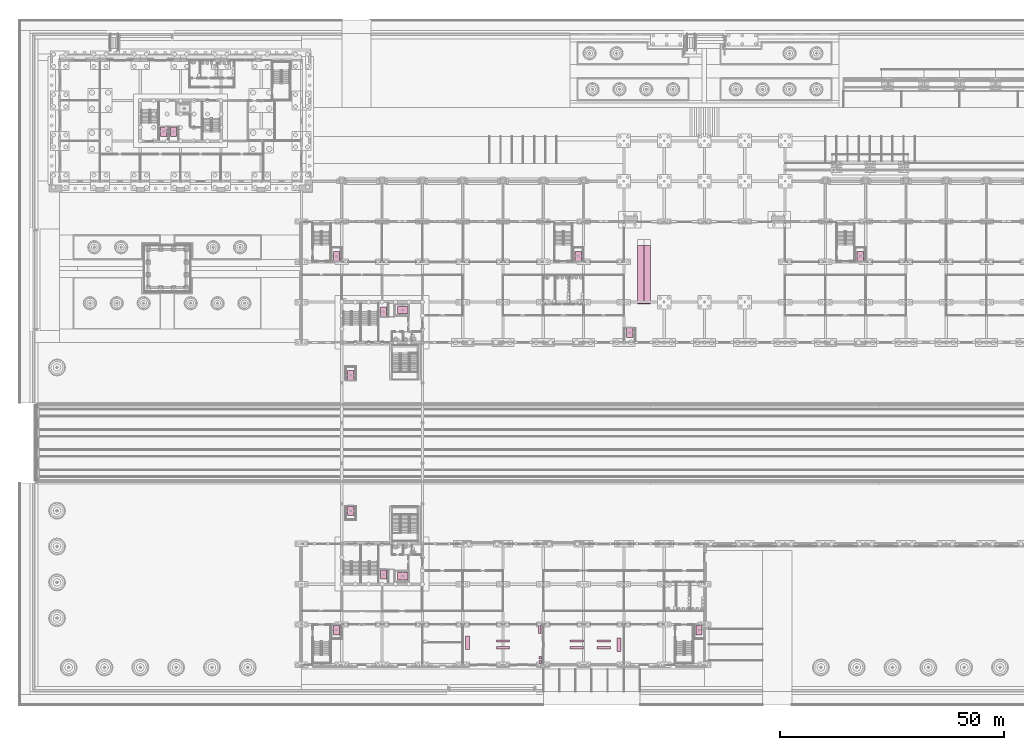
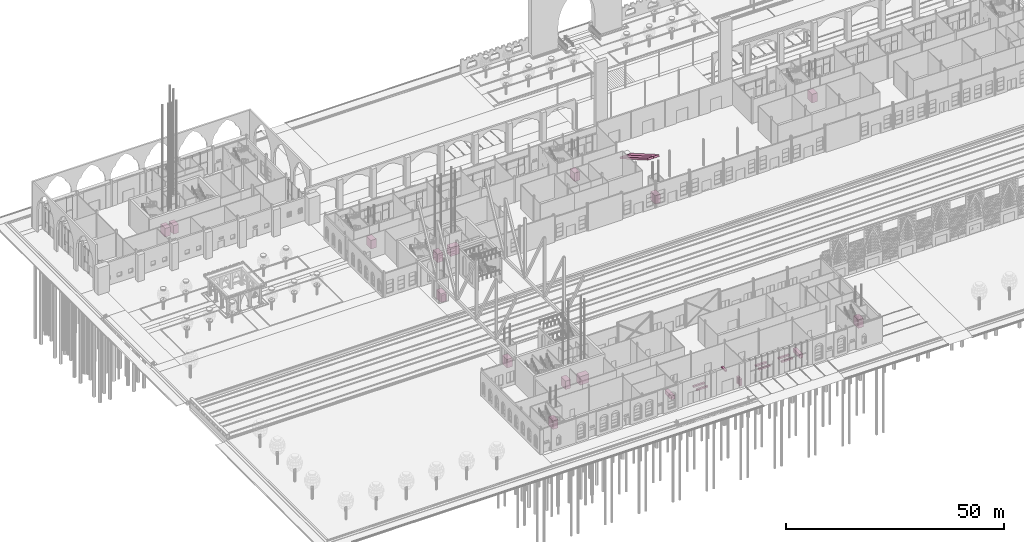
# One storey, part 236 of 250: 16 transport elements, 11 furniture elements.
"""IFC4 building model written with IfcOpenShell, lengths in metres."""

from ifc_helpers import new_model, si_unit, direction, frame, origin, origin_2d, place, context, subcontext, project, spatial, polyline, rectangle, outline, extrude, material, type_object, element, save


model = new_model("IFC4")

# Units and contexts
model_context = context("Model", 3, precision=1e-05, world=origin(), true_north=direction((0.0, 1.0)))
body_context = subcontext(model_context, "Body", "Model", "MODEL_VIEW")
ifc_project = project(units=[si_unit("LENGTHUNIT", "METRE"), si_unit("AREAUNIT", "SQUARE_METRE"), si_unit("VOLUMEUNIT", "CUBIC_METRE"), si_unit("PLANEANGLEUNIT", "RADIAN"), si_unit("MASSUNIT", "GRAM", prefix="KILO")], contexts=[model_context])

# Site, building, storey
site_placement = place(None, origin())
site = spatial("IfcSite", under=ifc_project, at=site_placement, CompositionType="ELEMENT")
building_placement = place(site_placement, origin())
building = spatial("IfcBuilding", under=site, at=building_placement, Name="Baradari Gate Terminus", CompositionType="ELEMENT")
storey_placement = place(building_placement, origin())
storey = spatial("IfcBuildingStorey", under=building, at=storey_placement, Name="L00", CompositionType="ELEMENT", Elevation=0.0)

# Transport elements
ifc_material_1 = material(Name="Steel S355", Category="steel")
transport_element_type_1 = type_object("IfcTransportElementType", Name="Escalator ES 1000 step 30 degrees", PredefinedType="ESCALATOR", material=ifc_material_1)
for number, where, z_axis, x_axis, name in (
    (1, (138.0, 102.6171875, 0.050048828125), (0.0, 0.499996142607, 0.86602763084), (0.0, -0.86602763084, 0.499996142607), "Escalator ES-H1"),
    (2, (139.5, 102.6171875, 0.050048828125), (0.0, 0.499996142607, 0.86602763084), (0.0, -0.86602763084, 0.499996142607), "Escalator ES-H2"),
):
    element("IfcTransportElement", number, at=place(storey_placement, frame(where, z_axis=z_axis, x_axis=x_axis)), inside=storey, type_object=transport_element_type_1, Name=name, PredefinedType="ESCALATOR", context=body_context, shape_type="SweptSolid", body=[
        extrude(outline(polyline([(0.0, 0.0), (14.7999188656935, 0.0), (14.7999188656935, 1.4999999999999998), (0.0, 1.4999999999999998), (0.0, 0.0)])), origin(), (0.0, 0.0, -1.0), 0.5),
    ])
ifc_material_2 = material(Name="Stainless steel 1.4301", Category="steel")
transport_element_type_2 = type_object("IfcTransportElementType", Name="Firefighting lift car 1600x2400", PredefinedType="ELEVATOR", material=ifc_material_2)
for number, where, z_axis, x_axis, name in (
    (3, (85.60009765625, 88.25, 0.0), (0.0, 0.0, 1.0), (1.0, 0.0, 0.0), "Lift LGN2"),
    (4, (85.60009765625, 28.75, 0.0), (0.0, 0.0, 1.0), (1.0, 0.0, 0.0), "Lift LGS2"),
):
    element("IfcTransportElement", number, at=place(storey_placement, frame(where, z_axis=z_axis, x_axis=x_axis)), inside=storey, type_object=transport_element_type_2, Name=name, PredefinedType="ELEVATOR", context=body_context, shape_type="SweptSolid", body=[
        extrude(rectangle(XDim=2.39990234375, YDim=1.60009765625, at=origin_2d()), origin(), (0.0, 0.0, 1.0), 2.39990234375),
    ])

# Furniture
ifc_material_3 = material(Name="Timber, hardwood", Category="wood")
furniture_type_1 = type_object("IfcFurnitureType", Name="Information desk FU-1 3000x900", AssemblyPlace="SITE", PredefinedType="DESK", material=ifc_material_3)
for number, where, z_axis, x_axis, name in (
    (5, (100.10009765625, 13.89990234375, 0.0), (0.0, 0.0, 1.0), (1.0, 0.0, 0.0), "Information desk South Entrance Lobby 1"),
    (6, (133.89990234375, 13.5, 0.0), (0.0, 0.0, 1.0), (1.0, 0.0, 0.0), "Information desk South Waiting Lounge 5"),
):
    element("IfcFurniture", number, at=place(storey_placement, frame(where, z_axis=z_axis, x_axis=x_axis)), inside=storey, type_object=furniture_type_1, Name=name, PredefinedType="DESK", context=body_context, shape_type="SweptSolid", body=[
        extrude(rectangle(XDim=0.89990234375, YDim=3.0, at=origin_2d()), origin(), (0.0, 0.0, 1.0), 1.10009765625),
    ])

# Transport elements
ifc_material_4 = material(Name="Stainless steel 1.4301", Category="steel")
transport_element_type_3 = type_object("IfcTransportElementType", Name="Passenger lift car 1400x2100", PredefinedType="ELEVATOR", material=ifc_material_4)
for number, where, z_axis, x_axis, name in (
    (7, (81.300048828125, 87.85009765625, 0.0), (0.0, 0.0, 1.0), (1.0, 0.0, 0.0), "Lift LGN1"),
    (8, (81.300048828125, 29.14990234375, 0.0), (0.0, 0.0, 1.0), (1.0, 0.0, 0.0), "Lift LGS1"),
    (9, (70.800048828125, 100.25, 0.0), (0.0, 0.0, 1.0), (1.0, 0.0, 0.0), "Lift LH1"),
    (10, (124.800048828125, 100.25, 0.0), (0.0, 0.0, 1.0), (1.0, 0.0, 0.0), "Lift LH2"),
    (11, (187.800048828125, 100.25, 0.0), (0.0, 0.0, 1.0), (1.0, 0.0, 0.0), "Lift LH3"),
    (12, (136.300048828125, 83.14990234375, 0.0), (0.0, 0.0, 1.0), (1.0, 0.0, 0.0), "Lift LHL"),
    (13, (74.0, 43.35009765625, 0.0), (0.0, 0.0, 1.0), (1.0, 0.0, 0.0), "Lift LP1"),
    (14, (74.0, 73.64990234375, 0.0), (0.0, 0.0, 1.0), (1.0, 0.0, 0.0), "Lift LP2"),
    (15, (70.800048828125, 16.75, 0.0), (0.0, 0.0, 1.0), (1.0, 0.0, 0.0), "Lift LSW1"),
    (16, (151.800048828125, 16.75, 0.0), (0.0, 0.0, 1.0), (1.0, 0.0, 0.0), "Lift LSW2"),
    (17, (32.22509765625, 128.074951171875, 0.0), (0.0, 0.0, 1.0), (1.0, 0.0, 0.0), "Lift LT1"),
    (18, (34.425048828125, 128.074951171875, 0.0), (0.0, 0.0, 1.0), (1.0, 0.0, 0.0), "Lift LT2"),
):
    element("IfcTransportElement", number, at=place(storey_placement, frame(where, z_axis=z_axis, x_axis=x_axis)), inside=storey, type_object=transport_element_type_3, Name=name, PredefinedType="ELEVATOR", context=body_context, shape_type="SweptSolid", body=[
        extrude(rectangle(XDim=1.39990234375, YDim=2.10009765625, at=origin_2d()), origin(), (0.0, 0.0, 1.0), 2.39990234375),
    ])

# Furniture
ifc_material_5 = material(Name="Steel S275", Category="steel")
furniture_type_2 = type_object("IfcFurnitureType", Name="Ticket vending machine FU-4 600x600", AssemblyPlace="SITE", PredefinedType="FILECABINET", material=ifc_material_5)
for number, where, z_axis, x_axis, name in (
    (19, (116.300048828125, 9.60009765625, 0.0), (0.0, 0.0, 1.0), (1.0, 0.0, 0.0), "Ticket vending machine South Entrance Lobby 5"),
    (20, (116.300048828125, 10.550048828125, 0.0), (0.0, 0.0, 1.0), (1.0, 0.0, 0.0), "Ticket vending machine South Entrance Lobby 6"),
):
    element("IfcFurniture", number, at=place(storey_placement, frame(where, z_axis=z_axis, x_axis=x_axis)), inside=storey, type_object=furniture_type_2, Name=name, PredefinedType="FILECABINET", context=body_context, shape_type="SweptSolid", body=[
        extrude(rectangle(XDim=0.60009765625, YDim=0.60009765625, at=origin_2d()), origin(), (0.0, 0.0, 1.0), 1.89990234375),
    ])
ifc_material_6 = material(Name="Timber, hardwood", Category="wood")
furniture_type_3 = type_object("IfcFurnitureType", Name="Waiting bench FU-2 3000x500", AssemblyPlace="SITE", PredefinedType="CHAIR", material=ifc_material_6)
for number, where, z_axis, x_axis, name in (
    (21, (108.0, 12.800048828125, 0.0), (0.0, 0.0, 1.0), (1.0, 0.0, 0.0), "Waiting bench South Entrance Lobby 2"),
    (22, (108.0, 14.300048828125, 0.0), (0.0, 0.0, 1.0), (1.0, 0.0, 0.0), "Waiting bench South Entrance Lobby 3"),
    (23, (124.5, 12.800048828125, 0.0), (0.0, 0.0, 1.0), (1.0, 0.0, 0.0), "Waiting bench South Waiting Lounge 1"),
    (24, (124.5, 14.300048828125, 0.0), (0.0, 0.0, 1.0), (1.0, 0.0, 0.0), "Waiting bench South Waiting Lounge 2"),
    (25, (130.5, 12.800048828125, 0.0), (0.0, 0.0, 1.0), (1.0, 0.0, 0.0), "Waiting bench South Waiting Lounge 3"),
    (26, (130.5, 14.300048828125, 0.0), (0.0, 0.0, 1.0), (1.0, 0.0, 0.0), "Waiting bench South Waiting Lounge 4"),
):
    element("IfcFurniture", number, at=place(storey_placement, frame(where, z_axis=z_axis, x_axis=x_axis)), inside=storey, type_object=furniture_type_3, Name=name, PredefinedType="CHAIR", context=body_context, shape_type="SweptSolid", body=[
        extrude(rectangle(XDim=3.0, YDim=0.5, at=origin_2d()), origin(), (0.0, 0.0, 1.0), 0.449951171875),
    ])
ifc_material_7 = material(Name="Timber, hardwood", Category="wood")
furniture_type_4 = type_object("IfcFurnitureType", Name="Waiting bench, short FU-3 1800x500", AssemblyPlace="SITE", PredefinedType="CHAIR", material=ifc_material_7)
furniture_placement = place(storey_placement, frame((116.199951171875, 16.85009765625, 0.0), z_axis=(0.0, 0.0, 1.0), x_axis=(1.0, 0.0, 0.0)))
element("IfcFurniture", 27, at=furniture_placement, inside=storey, type_object=furniture_type_4, Name="Waiting bench, short South Entrance Lobby 4", PredefinedType="CHAIR", context=body_context, shape_type="SweptSolid", body=[
    extrude(rectangle(XDim=0.5, YDim=1.800048828125, at=origin_2d()), origin(), (0.0, 0.0, 1.0), 0.449951171875),
])

save(model, "model.ifc")
